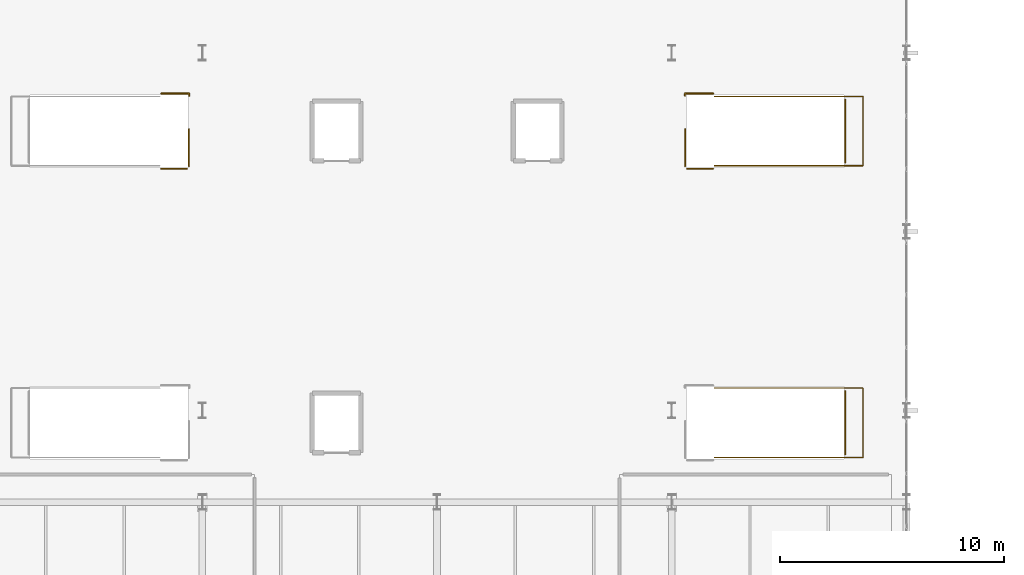
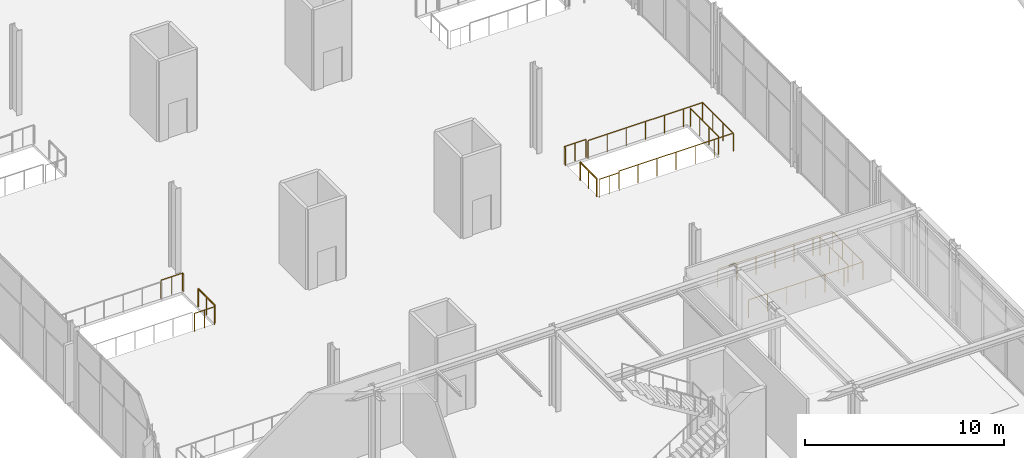
# One storey, part 175 of 195: 10 railings.
"""IFC4 building model written with IfcOpenShell, lengths in metres."""

from ifc_helpers import new_model, si_unit, direction, frame, origin, origin_2d, place, context, subcontext, project, spatial, circle, extrude, material, type_object, element, save


model = new_model("IFC4")

# Units and contexts
model_context = context("Model", 3, precision=1e-05, world=origin(), true_north=direction((0.0, 1.0)))
body_context = subcontext(model_context, "Body", "Model", "MODEL_VIEW")
ifc_project = project(units=[si_unit("LENGTHUNIT", "METRE"), si_unit("AREAUNIT", "SQUARE_METRE"), si_unit("VOLUMEUNIT", "CUBIC_METRE"), si_unit("PLANEANGLEUNIT", "RADIAN"), si_unit("MASSUNIT", "GRAM", prefix="KILO")], contexts=[model_context])

# Site, building, storey
site_placement = place(None, origin())
site = spatial("IfcSite", under=ifc_project, at=site_placement, CompositionType="ELEMENT")
building_placement = place(site_placement, origin())
building = spatial("IfcBuilding", under=site, at=building_placement, Name="Marlcrest Central Station", CompositionType="ELEMENT")
storey_placement = place(building_placement, frame((0.0, 0.0, 9.800048828125)))
storey = spatial("IfcBuildingStorey", under=building, at=storey_placement, Name="L02", CompositionType="ELEMENT", Elevation=9.800048828125)

# Railings
ifc_material = material(Name="Stainless steel and laminated glass concourse balustrade", Category="steel")
railing_type = type_object("IfcRailingType", Name="GR-02", PredefinedType="BALUSTRADE", material=ifc_material)
railing_1_placement = place(storey_placement, frame((120.39990234375, 36.39990234375, 0.0)))
element("IfcRailing", 1, at=railing_1_placement, inside=storey, type_object=railing_type, Name="grd-L02-0009", PredefinedType="BALUSTRADE", context=body_context, shape_type="SweptSolid", body=[
    extrude(circle(Radius=0.02392578125, at=origin_2d()), frame((0.0, 0.0, 1.09619140625), z_axis=(1.0, 0.0, 0.0), x_axis=(0.0, 1.0, 0.0)), (0.0, 0.0, 1.0), 6.650146484375),
    extrude(circle(Radius=0.02392578125, at=origin_2d()), frame((6.650146484375, 0.0, 1.09619140625), z_axis=(0.0, 1.0, 0.0), x_axis=(-1.0, 0.0, 0.0)), (0.0, 0.0, 1.0), 3.10009765625),
    extrude(circle(Radius=0.02392578125, at=origin_2d()), frame((6.650146484375, 3.10009765625, 1.09619140625), z_axis=(-1.0, 0.0, 0.0), x_axis=(0.0, -1.0, 0.0)), (0.0, 0.0, 1.0), 6.650146484375),
    extrude(circle(Radius=0.02099609375, at=origin_2d()), origin(), (0.0, 0.0, 1.0), 1.072021484375),
    extrude(circle(Radius=0.02099609375, at=origin_2d()), frame((1.1083984375, 0.0, 0.0)), (0.0, 0.0, 1.0), 1.072021484375),
    extrude(circle(Radius=0.02099609375, at=origin_2d()), frame((2.216796875, 0.0, 0.0)), (0.0, 0.0, 1.0), 1.072021484375),
    extrude(circle(Radius=0.02099609375, at=origin_2d()), frame((3.3251953125, 0.0, 0.0)), (0.0, 0.0, 1.0), 1.072021484375),
    extrude(circle(Radius=0.02099609375, at=origin_2d()), frame((4.433349609375, 0.0, 0.0)), (0.0, 0.0, 1.0), 1.072021484375),
    extrude(circle(Radius=0.02099609375, at=origin_2d()), frame((5.541748046875, 0.0, 0.0)), (0.0, 0.0, 1.0), 1.072021484375),
    extrude(circle(Radius=0.02099609375, at=origin_2d()), frame((6.650146484375, 0.0, 0.0)), (0.0, 0.0, 1.0), 1.072021484375),
    extrude(circle(Radius=0.02099609375, at=origin_2d()), frame((6.650146484375, 1.033447265625, 0.0)), (0.0, 0.0, 1.0), 1.072021484375),
    extrude(circle(Radius=0.02099609375, at=origin_2d()), frame((6.650146484375, 2.066650390625, 0.0)), (0.0, 0.0, 1.0), 1.072021484375),
    extrude(circle(Radius=0.02099609375, at=origin_2d()), frame((6.650146484375, 3.10009765625, 0.0)), (0.0, 0.0, 1.0), 1.072021484375),
    extrude(circle(Radius=0.02099609375, at=origin_2d()), frame((5.541748046875, 3.10009765625, 0.0)), (0.0, 0.0, 1.0), 1.072021484375),
    extrude(circle(Radius=0.02099609375, at=origin_2d()), frame((4.433349609375, 3.10009765625, 0.0)), (0.0, 0.0, 1.0), 1.072021484375),
    extrude(circle(Radius=0.02099609375, at=origin_2d()), frame((3.3251953125, 3.10009765625, 0.0)), (0.0, 0.0, 1.0), 1.072021484375),
    extrude(circle(Radius=0.02099609375, at=origin_2d()), frame((2.216796875, 3.10009765625, 0.0)), (0.0, 0.0, 1.0), 1.072021484375),
    extrude(circle(Radius=0.02099609375, at=origin_2d()), frame((1.1083984375, 3.10009765625, 0.0)), (0.0, 0.0, 1.0), 1.072021484375),
    extrude(circle(Radius=0.02099609375, at=origin_2d()), frame((0.0, 3.10009765625, 0.0)), (0.0, 0.0, 1.0), 1.072021484375),
])
railing_2_placement = place(storey_placement, frame((120.39990234375, 49.449951171875, 0.0)))
element("IfcRailing", 2, at=railing_2_placement, inside=storey, type_object=railing_type, Name="grd-L02-0011", PredefinedType="BALUSTRADE", context=body_context, shape_type="SweptSolid", body=[
    extrude(circle(Radius=0.02392578125, at=origin_2d()), frame((0.0, 0.0, 1.09619140625), z_axis=(1.0, 0.0, 0.0), x_axis=(0.0, 1.0, 0.0)), (0.0, 0.0, 1.0), 6.650146484375),
    extrude(circle(Radius=0.02392578125, at=origin_2d()), frame((6.650146484375, 0.0, 1.09619140625), z_axis=(0.0, 1.0, 0.0), x_axis=(-1.0, 0.0, 0.0)), (0.0, 0.0, 1.0), 3.10009765625),
    extrude(circle(Radius=0.02392578125, at=origin_2d()), frame((6.650146484375, 3.10009765625, 1.09619140625), z_axis=(-1.0, 0.0, 0.0), x_axis=(0.0, -1.0, 0.0)), (0.0, 0.0, 1.0), 6.650146484375),
    extrude(circle(Radius=0.02099609375, at=origin_2d()), origin(), (0.0, 0.0, 1.0), 1.072021484375),
    extrude(circle(Radius=0.02099609375, at=origin_2d()), frame((1.1083984375, 0.0, 0.0)), (0.0, 0.0, 1.0), 1.072021484375),
    extrude(circle(Radius=0.02099609375, at=origin_2d()), frame((2.216796875, 0.0, 0.0)), (0.0, 0.0, 1.0), 1.072021484375),
    extrude(circle(Radius=0.02099609375, at=origin_2d()), frame((3.3251953125, 0.0, 0.0)), (0.0, 0.0, 1.0), 1.072021484375),
    extrude(circle(Radius=0.02099609375, at=origin_2d()), frame((4.433349609375, 0.0, 0.0)), (0.0, 0.0, 1.0), 1.072021484375),
    extrude(circle(Radius=0.02099609375, at=origin_2d()), frame((5.541748046875, 0.0, 0.0)), (0.0, 0.0, 1.0), 1.072021484375),
    extrude(circle(Radius=0.02099609375, at=origin_2d()), frame((6.650146484375, 0.0, 0.0)), (0.0, 0.0, 1.0), 1.072021484375),
    extrude(circle(Radius=0.02099609375, at=origin_2d()), frame((6.650146484375, 1.033447265625, 0.0)), (0.0, 0.0, 1.0), 1.072021484375),
    extrude(circle(Radius=0.02099609375, at=origin_2d()), frame((6.650146484375, 2.066650390625, 0.0)), (0.0, 0.0, 1.0), 1.072021484375),
    extrude(circle(Radius=0.02099609375, at=origin_2d()), frame((6.650146484375, 3.10009765625, 0.0)), (0.0, 0.0, 1.0), 1.072021484375),
    extrude(circle(Radius=0.02099609375, at=origin_2d()), frame((5.541748046875, 3.10009765625, 0.0)), (0.0, 0.0, 1.0), 1.072021484375),
    extrude(circle(Radius=0.02099609375, at=origin_2d()), frame((4.433349609375, 3.10009765625, 0.0)), (0.0, 0.0, 1.0), 1.072021484375),
    extrude(circle(Radius=0.02099609375, at=origin_2d()), frame((3.3251953125, 3.10009765625, 0.0)), (0.0, 0.0, 1.0), 1.072021484375),
    extrude(circle(Radius=0.02099609375, at=origin_2d()), frame((2.216796875, 3.10009765625, 0.0)), (0.0, 0.0, 1.0), 1.072021484375),
    extrude(circle(Radius=0.02099609375, at=origin_2d()), frame((1.1083984375, 3.10009765625, 0.0)), (0.0, 0.0, 1.0), 1.072021484375),
    extrude(circle(Radius=0.02099609375, at=origin_2d()), frame((0.0, 3.10009765625, 0.0)), (0.0, 0.0, 1.0), 1.072021484375),
])
for number, where, name in (
    (3, (96.89990234375, 49.429931640625, 0.0), "hr-L02-00051"),
    (4, (119.10009765625, 49.429931640625, 0.0), "hr-L02-00068"),
):
    element("IfcRailing", number, at=place(storey_placement, frame(where)), inside=storey, type_object=railing_type, Name=name, PredefinedType="BALUSTRADE", context=body_context, shape_type="SweptSolid", body=[
        extrude(circle(Radius=0.02392578125, at=origin_2d()), frame((0.0, 0.0, 1.09619140625), z_axis=(0.0, 1.0, 0.0), x_axis=(-1.0, 0.0, 0.0)), (0.0, 0.0, 1.0), 1.650146484375),
        extrude(circle(Radius=0.02099609375, at=origin_2d()), origin(), (0.0, 0.0, 1.0), 1.072021484375),
        extrude(circle(Radius=0.02099609375, at=origin_2d()), frame((0.0, 0.8251953125, 0.0)), (0.0, 0.0, 1.0), 1.072021484375),
        extrude(circle(Radius=0.02099609375, at=origin_2d()), frame((0.0, 1.650146484375, 0.0)), (0.0, 0.0, 1.0), 1.072021484375),
    ])
railing_3_placement = place(storey_placement, frame((119.18603515625, 49.320068359375, 0.0)))
element("IfcRailing", 5, at=railing_3_placement, inside=storey, type_object=railing_type, Name="hr-L02-00537", PredefinedType="BALUSTRADE", context=body_context, shape_type="SweptSolid", body=[
    extrude(circle(Radius=0.02392578125, at=origin_2d()), frame((0.0, 0.0, 1.09619140625), z_axis=(1.0, 0.0, 0.0), x_axis=(0.0, 1.0, 0.0)), (0.0, 0.0, 1.0), 1.161865234375),
    extrude(circle(Radius=0.02099609375, at=origin_2d()), origin(), (0.0, 0.0, 1.0), 1.072021484375),
    extrude(circle(Radius=0.02099609375, at=origin_2d()), frame((0.5810546875, 0.0, 0.0)), (0.0, 0.0, 1.0), 1.072021484375),
    extrude(circle(Radius=0.02099609375, at=origin_2d()), frame((1.161865234375, 0.0, 0.0)), (0.0, 0.0, 1.0), 1.072021484375),
])
railing_4_placement = place(storey_placement, frame((126.260009765625, 49.590087890625, 0.0)))
element("IfcRailing", 6, at=railing_4_placement, inside=storey, type_object=railing_type, Name="hr-L02-00538", PredefinedType="BALUSTRADE", context=body_context, shape_type="SweptSolid", body=[
    extrude(circle(Radius=0.02392578125, at=origin_2d()), frame((0.0, 0.0, 1.09619140625), z_axis=(0.0, 1.0, 0.0), x_axis=(-1.0, 0.0, 0.0)), (0.0, 0.0, 1.0), 2.81982421875),
    extrude(circle(Radius=0.02099609375, at=origin_2d()), origin(), (0.0, 0.0, 1.0), 1.072021484375),
    extrude(circle(Radius=0.02099609375, at=origin_2d()), frame((0.0, 0.93994140625, 0.0)), (0.0, 0.0, 1.0), 1.072021484375),
    extrude(circle(Radius=0.02099609375, at=origin_2d()), frame((0.0, 1.8798828125, 0.0)), (0.0, 0.0, 1.0), 1.072021484375),
    extrude(circle(Radius=0.02099609375, at=origin_2d()), frame((0.0, 2.81982421875, 0.0)), (0.0, 0.0, 1.0), 1.072021484375),
])
railing_5_placement = place(storey_placement, frame((120.347900390625, 52.679931640625, 0.0)))
element("IfcRailing", 7, at=railing_5_placement, inside=storey, type_object=railing_type, Name="hr-L02-00539", PredefinedType="BALUSTRADE", context=body_context, shape_type="SweptSolid", body=[
    extrude(circle(Radius=0.02392578125, at=origin_2d()), frame((0.0, 0.0, 1.09619140625), z_axis=(-1.0, 0.0, 0.0), x_axis=(0.0, -1.0, 0.0)), (0.0, 0.0, 1.0), 1.2578125),
    extrude(circle(Radius=0.02392578125, at=origin_2d()), frame((-1.2578125, 0.0, 1.09619140625), z_axis=(0.0, -1.0, 0.0), x_axis=(1.0, 0.0, 0.0)), (0.0, 0.0, 1.0), 0.10986328125),
    extrude(circle(Radius=0.02099609375, at=origin_2d()), origin(), (0.0, 0.0, 1.0), 1.072021484375),
    extrude(circle(Radius=0.02099609375, at=origin_2d()), frame((-0.62890625, 0.0, 0.0)), (0.0, 0.0, 1.0), 1.072021484375),
    extrude(circle(Radius=0.02099609375, at=origin_2d()), frame((-1.2578125, 0.0, 0.0)), (0.0, 0.0, 1.0), 1.072021484375),
    extrude(circle(Radius=0.02099609375, at=origin_2d()), frame((-1.2578125, -0.10986328125, 0.0)), (0.0, 0.0, 1.0), 1.072021484375),
])
railing_6_placement = place(storey_placement, frame((126.260009765625, 36.5400390625, 0.0)))
element("IfcRailing", 8, at=railing_6_placement, inside=storey, type_object=railing_type, Name="hr-L02-00541", PredefinedType="BALUSTRADE", context=body_context, shape_type="SweptSolid", body=[
    extrude(circle(Radius=0.02392578125, at=origin_2d()), frame((0.0, 0.0, 1.09619140625), z_axis=(0.0, 1.0, 0.0), x_axis=(-1.0, 0.0, 0.0)), (0.0, 0.0, 1.0), 2.820068359375),
    extrude(circle(Radius=0.02099609375, at=origin_2d()), origin(), (0.0, 0.0, 1.0), 1.072021484375),
    extrude(circle(Radius=0.02099609375, at=origin_2d()), frame((0.0, 0.93994140625, 0.0)), (0.0, 0.0, 1.0), 1.072021484375),
    extrude(circle(Radius=0.02099609375, at=origin_2d()), frame((0.0, 1.880126953125, 0.0)), (0.0, 0.0, 1.0), 1.072021484375),
    extrude(circle(Radius=0.02099609375, at=origin_2d()), frame((0.0, 2.820068359375, 0.0)), (0.0, 0.0, 1.0), 1.072021484375),
])
railing_7_placement = place(storey_placement, frame((95.652099609375, 49.320068359375, 0.0)))
element("IfcRailing", 9, at=railing_7_placement, inside=storey, type_object=railing_type, Name="hr-L02-00559", PredefinedType="BALUSTRADE", context=body_context, shape_type="SweptSolid", body=[
    extrude(circle(Radius=0.02392578125, at=origin_2d()), frame((0.0, 0.0, 1.09619140625), z_axis=(1.0, 0.0, 0.0), x_axis=(0.0, 1.0, 0.0)), (0.0, 0.0, 1.0), 1.161865234375),
    extrude(circle(Radius=0.02099609375, at=origin_2d()), origin(), (0.0, 0.0, 1.0), 1.072021484375),
    extrude(circle(Radius=0.02099609375, at=origin_2d()), frame((0.5810546875, 0.0, 0.0)), (0.0, 0.0, 1.0), 1.072021484375),
    extrude(circle(Radius=0.02099609375, at=origin_2d()), frame((1.161865234375, 0.0, 0.0)), (0.0, 0.0, 1.0), 1.072021484375),
])
railing_8_placement = place(storey_placement, frame((96.909912109375, 52.570068359375, 0.0)))
element("IfcRailing", 10, at=railing_8_placement, inside=storey, type_object=railing_type, Name="hr-L02-00560", PredefinedType="BALUSTRADE", context=body_context, shape_type="SweptSolid", body=[
    extrude(circle(Radius=0.02392578125, at=origin_2d()), frame((0.0, 0.0, 1.09619140625), z_axis=(0.0, 1.0, 0.0), x_axis=(-1.0, 0.0, 0.0)), (0.0, 0.0, 1.0), 0.10986328125),
    extrude(circle(Radius=0.02392578125, at=origin_2d()), frame((0.0, 0.10986328125, 1.09619140625), z_axis=(-1.0, 0.0, 0.0), x_axis=(0.0, -1.0, 0.0)), (0.0, 0.0, 1.0), 1.2578125),
    extrude(circle(Radius=0.02099609375, at=origin_2d()), origin(), (0.0, 0.0, 1.0), 1.072021484375),
    extrude(circle(Radius=0.02099609375, at=origin_2d()), frame((0.0, 0.10986328125, 0.0)), (0.0, 0.0, 1.0), 1.072021484375),
    extrude(circle(Radius=0.02099609375, at=origin_2d()), frame((-0.62890625, 0.10986328125, 0.0)), (0.0, 0.0, 1.0), 1.072021484375),
    extrude(circle(Radius=0.02099609375, at=origin_2d()), frame((-1.2578125, 0.10986328125, 0.0)), (0.0, 0.0, 1.0), 1.072021484375),
])

save(model, "model.ifc")
